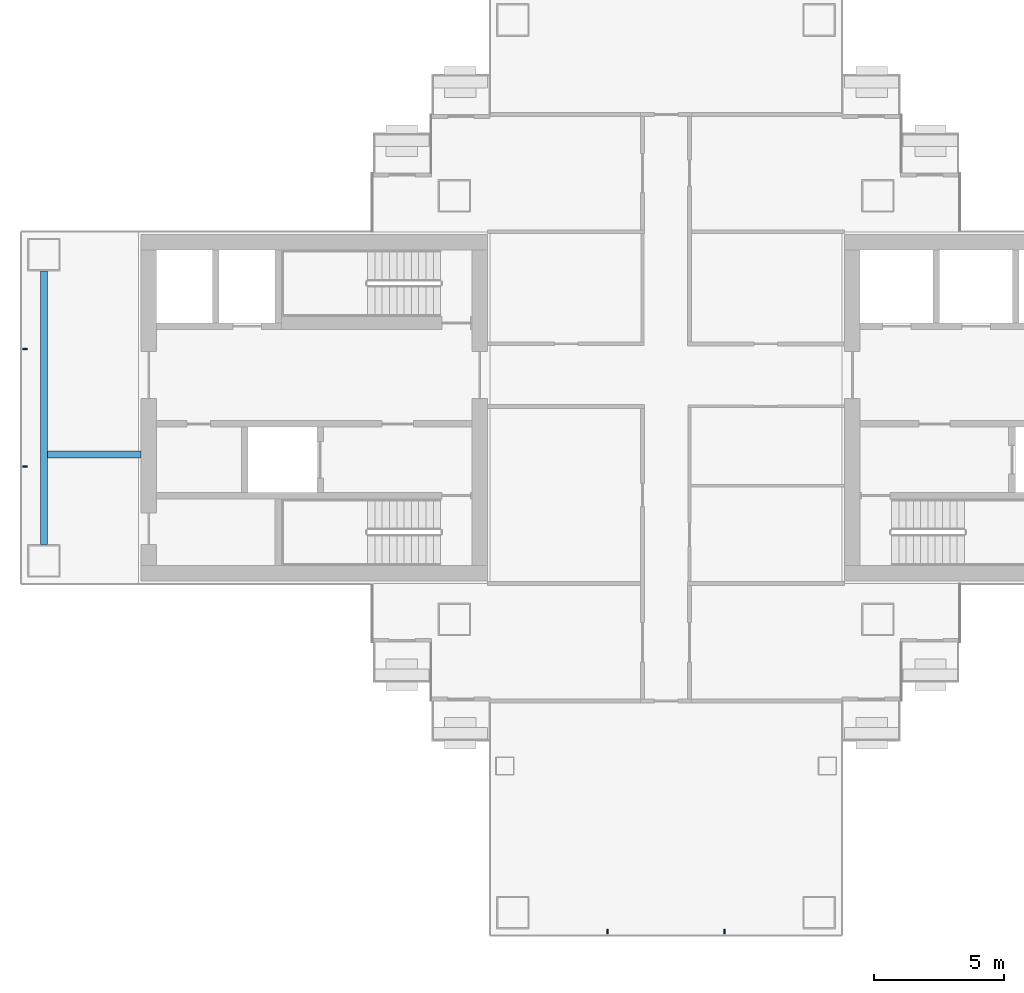
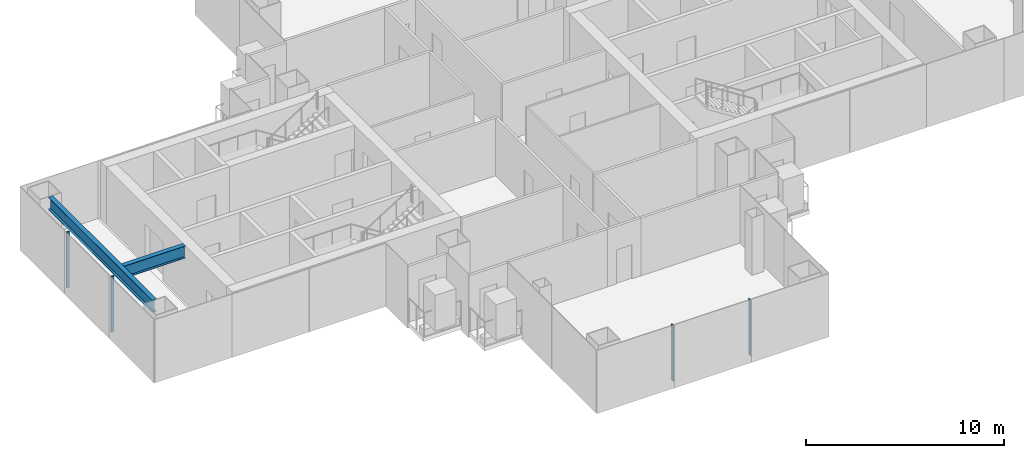
# One storey, part 3 of 20: 4 members, 2 beams, 2 elements without a shape of their own.
"""IFC4 building model written with IfcOpenShell, lengths in metres."""

from ifc_helpers import new_model, si_unit, direction, frame, origin, origin_2d, place, context, subcontext, project, spatial, rectangle, i_section, extrude, material, layer, layer_set, material_profile, profile_set, type_object, element, aggregate, save


model = new_model("IFC4")

# Units and contexts
model_context = context("Model", 3, precision=1e-05, world=origin(), true_north=direction((0.0, 1.0)))
body_context = subcontext(model_context, "Body", "Model", "MODEL_VIEW")
ifc_project = project(units=[si_unit("LENGTHUNIT", "METRE"), si_unit("AREAUNIT", "SQUARE_METRE"), si_unit("VOLUMEUNIT", "CUBIC_METRE"), si_unit("PLANEANGLEUNIT", "RADIAN"), si_unit("MASSUNIT", "GRAM", prefix="KILO")], contexts=[model_context])

# Site, building, storey
site_placement = place(None, origin())
site = spatial("IfcSite", under=ifc_project, at=site_placement, CompositionType="ELEMENT")
building_placement = place(site_placement, origin())
building = spatial("IfcBuilding", under=site, at=building_placement, Name="Shamsa Quay Exchange Towers", CompositionType="ELEMENT")
storey_placement = place(building_placement, frame((0.0, 0.0, 105.300048828125)))
storey = spatial("IfcBuildingStorey", under=building, at=storey_placement, Name="L24", CompositionType="ELEMENT", Elevation=105.300048828125)

# Curtain wall, members
ifc_material_1 = material(Name="Aluminium EN AW-6063 T6, black anodised", Category="aluminium")
ifc_layer = layer(ifc_material_1, 0.280029296875)
ifc_layer_set = layer_set([ifc_layer], Name="CW-1 UNITISED VISION GLASS")
curtain_wall_type = type_object("IfcCurtainWallType", Name="CW-1 UNITISED VISION GLASS", PredefinedType="NOTDEFINED", material=ifc_layer_set)
curtain_wall_1_placement = place(storey_placement, origin())
curtain_wall_1 = element("IfcCurtainWall", 1, at=curtain_wall_1_placement, inside=storey, type_object=curtain_wall_type, Name="CW1 T1-END-V- L24", PredefinedType="NOTDEFINED")
ifc_material_profile_1 = material_profile(ifc_material_1, rectangle(XDim=0.179931640625, YDim=0.06005859375, at=origin_2d()), Name="MU60x180")
ifc_profile_set_1 = profile_set([ifc_material_profile_1], Name="Aluminium EN AW-6063 T6, black anodised")
member_type = type_object("IfcMemberType", Name="CW1 MULLION 60x180", PredefinedType="MULLION", material=ifc_profile_set_1)
member_1_placement = place(storey_placement, frame((-36.0, -20.10009765625, 0.0), z_axis=(0.0, 0.0, 1.0), x_axis=(0.0, 1.0, 0.0)))
member_1 = element("IfcMember", 2, at=member_1_placement, type_object=member_type, Name="CW1 mullion", PredefinedType="MULLION", context=body_context, shape_type="SweptSolid", body=[
    extrude(rectangle(XDim=0.179931640625, YDim=0.06005859375, at=origin_2d()), origin(), (0.0, 0.0, 1.0), 3.449951171875),
])
member_2_placement = place(storey_placement, frame((-31.5, -20.10009765625, 0.0), z_axis=(0.0, 0.0, 1.0), x_axis=(0.0, 1.0, 0.0)))
member_2 = element("IfcMember", 3, at=member_2_placement, type_object=member_type, Name="CW1 mullion", PredefinedType="MULLION", context=body_context, shape_type="SweptSolid", body=[
    extrude(rectangle(XDim=0.179931640625, YDim=0.06005859375, at=origin_2d()), origin(), (0.0, 0.0, 1.0), 3.449951171875),
])
aggregate(curtain_wall_1, [member_1, member_2])

curtain_wall_2_placement = place(storey_placement, origin())
curtain_wall_2 = element("IfcCurtainWall", 4, at=curtain_wall_2_placement, inside=storey, type_object=curtain_wall_type, Name="CW1 T1-END-U- L24", PredefinedType="NOTDEFINED")
member_3_placement = place(storey_placement, frame((-58.35009765625, 2.25, 0.0)))
member_3 = element("IfcMember", 5, at=member_3_placement, type_object=member_type, Name="CW1 mullion", PredefinedType="MULLION", context=body_context, shape_type="SweptSolid", body=[
    extrude(rectangle(XDim=0.179931640625, YDim=0.06005859375, at=origin_2d()), origin(), (0.0, 0.0, 1.0), 3.449951171875),
])
member_4_placement = place(storey_placement, frame((-58.35009765625, -2.25, 0.0)))
member_4 = element("IfcMember", 6, at=member_4_placement, type_object=member_type, Name="CW1 mullion", PredefinedType="MULLION", context=body_context, shape_type="SweptSolid", body=[
    extrude(rectangle(XDim=0.179931640625, YDim=0.06005859375, at=origin_2d()), origin(), (0.0, 0.0, 1.0), 3.449951171875),
])
aggregate(curtain_wall_2, [member_3, member_4])

# Beams
ifc_material_2 = material(Name="Steel S355", Category="steel")
ifc_material_profile_2 = material_profile(ifc_material_2, i_section(OverallWidth=0.26611328125, OverallDepth=0.7578125, WebThickness=0.013916015625, FlangeThickness=0.019287109375, at=origin_2d()), Name="W30x108")
ifc_profile_set_2 = profile_set([ifc_material_profile_2], Name="Steel S355")
beam_type = type_object("IfcBeamType", Name="End-zone beam W30x108", PredefinedType="BEAM", material=ifc_profile_set_2)
beam_1_placement = place(storey_placement, frame((-57.625, -5.25, 3.171142578125), z_axis=(0.0, 1.0, 0.0), x_axis=(-1.0, 0.0, 0.0)))
element("IfcBeam", 7, at=beam_1_placement, inside=storey, type_object=beam_type, Name="End beam T1 U- end zone L24", PredefinedType="BEAM", context=body_context, shape_type="SweptSolid", body=[
    extrude(i_section(OverallWidth=0.26611328125, OverallDepth=0.7578125, WebThickness=0.013916015625, FlangeThickness=0.019287109375, at=origin_2d()), origin(), (0.0, 0.0, 1.0), 10.5),
])
beam_2_placement = place(storey_placement, frame((-53.89990234375, -1.800048828125, 3.171142578125), z_axis=(-1.0, 0.0, 0.0), x_axis=(0.0, -1.0, 0.0)))
element("IfcBeam", 8, at=beam_2_placement, inside=storey, type_object=beam_type, Name="Spine beam T1 U- end zone L24", PredefinedType="BEAM", context=body_context, shape_type="SweptSolid", body=[
    extrude(i_section(OverallWidth=0.26611328125, OverallDepth=0.7578125, WebThickness=0.013916015625, FlangeThickness=0.019287109375, at=origin_2d()), origin(), (0.0, 0.0, 1.0), 3.592041015625),
])

save(model, "model.ifc")
